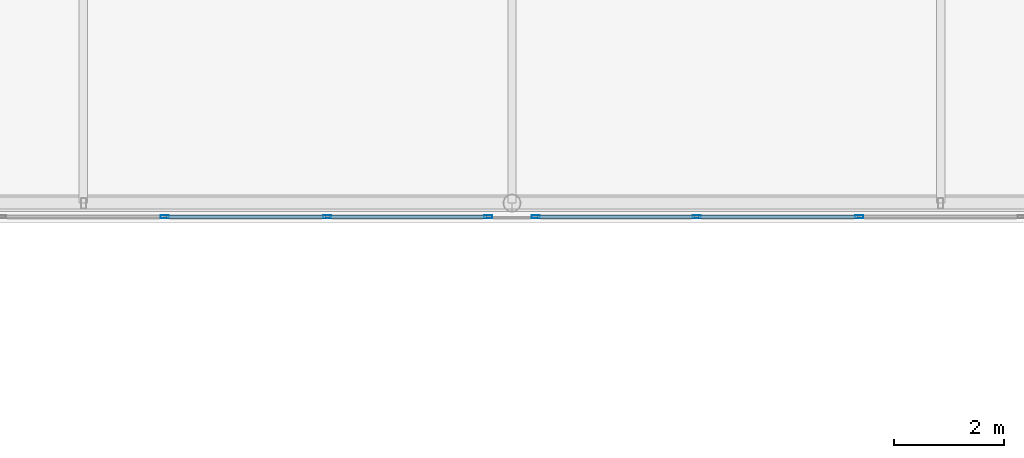
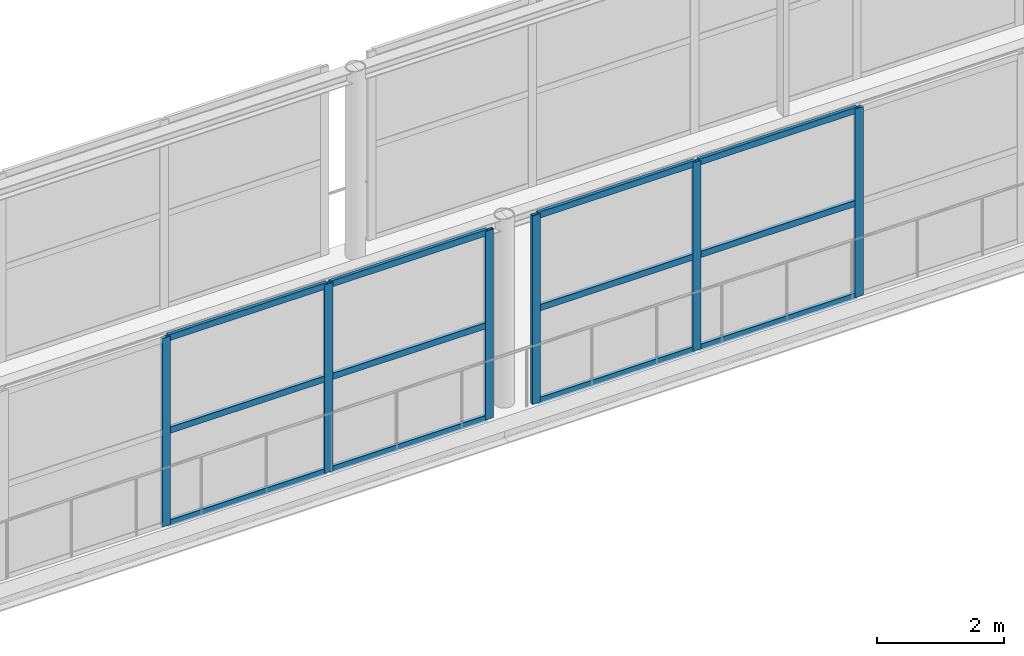
# One storey, part 70 of 167: 18 members, 2 elements without a shape of their own.
"""IFC4 building model written with IfcOpenShell, lengths in metres."""

from ifc_helpers import new_model, si_unit, direction, frame, origin, origin_2d, place, context, subcontext, project, spatial, hollow_rectangle, extrude, material, layer, layer_set, material_profile, profile_set, type_object, element, aggregate, save


model = new_model("IFC4")

# Units and contexts
model_context = context("Model", 3, precision=1e-05, world=origin(), true_north=direction((0.0, 1.0)))
body_context = subcontext(model_context, "Body", "Model", "MODEL_VIEW")
ifc_project = project(units=[si_unit("LENGTHUNIT", "METRE"), si_unit("AREAUNIT", "SQUARE_METRE"), si_unit("VOLUMEUNIT", "CUBIC_METRE"), si_unit("PLANEANGLEUNIT", "RADIAN"), si_unit("MASSUNIT", "GRAM", prefix="KILO")], contexts=[model_context])

# Site, building, storey
site_placement = place(None, origin())
site = spatial("IfcSite", under=ifc_project, at=site_placement, CompositionType="ELEMENT")
building_placement = place(site_placement, origin())
building = spatial("IfcBuilding", under=site, at=building_placement, Name="Zizhar Promenade General Hospital", CompositionType="ELEMENT")
storey_placement = place(building_placement, frame((0.0, 0.0, 9.60009765625)))
storey = spatial("IfcBuildingStorey", under=building, at=storey_placement, Name="L02", CompositionType="ELEMENT", Elevation=9.60009765625)

# Curtain wall, members
ifc_material_1 = material(Name="Anodised aluminium 6063-T6 and low-E glass", Category="aluminium")
ifc_layer = layer(ifc_material_1, 0.159912109375)
ifc_layer_set = layer_set([ifc_layer], Name="Anodised aluminium 6063-T6 and low-E glass")
curtain_wall_type = type_object("IfcCurtainWallType", Name="CW-SKY-GLZ", PredefinedType="NOTDEFINED", material=ifc_layer_set)
curtain_wall_1_placement = place(storey_placement, origin())
curtain_wall_1 = element("IfcCurtainWall", 1, at=curtain_wall_1_placement, inside=storey, type_object=curtain_wall_type, Name="Courtyard Surgical-Clinic Skybridge Level L02 South Glazing 2", PredefinedType="NOTDEFINED")
ifc_material_2 = material(Name="Anodised aluminium 6063-T6", Category="aluminium")
ifc_material_profile_1 = material_profile(ifc_material_2, hollow_rectangle(XDim=0.06005859375, YDim=0.14990234375, WallThickness=0.00390625, at=origin_2d()))
ifc_profile_set_1 = profile_set([ifc_material_profile_1], Name="Anodised aluminium 6063-T6")
member_type_1 = type_object("IfcMemberType", Name="CWM-ALU-150x60", PredefinedType="MULLION", material=ifc_profile_set_1)
member_1_placement = place(storey_placement, frame((100.969970703125, 77.5, 0.0), z_axis=(0.0, 0.0, 1.0), x_axis=(0.0, -1.0, 0.0)))
member_1 = element("IfcMember", 2, at=member_1_placement, type_object=member_type_1, Name="CW-15 mullion 1", PredefinedType="MULLION", context=body_context, shape_type="SweptSolid", body=[
    extrude(hollow_rectangle(XDim=0.06005859375, YDim=0.14990234375, WallThickness=0.00390625, at=origin_2d()), origin(), (0.0, 0.0, 1.0), 3.639892578125),
])
member_2_placement = place(storey_placement, frame((98.0400390625, 77.5, 0.0), z_axis=(0.0, 0.0, 1.0), x_axis=(0.0, -1.0, 0.0)))
member_2 = element("IfcMember", 3, at=member_2_placement, type_object=member_type_1, Name="CW-15 mullion 2", PredefinedType="MULLION", context=body_context, shape_type="SweptSolid", body=[
    extrude(hollow_rectangle(XDim=0.06005859375, YDim=0.14990234375, WallThickness=0.00390625, at=origin_2d()), origin(), (0.0, 0.0, 1.0), 3.639892578125),
])
member_3_placement = place(storey_placement, frame((95.080078125, 77.5, 0.0), z_axis=(0.0, 0.0, 1.0), x_axis=(0.0, -1.0, 0.0)))
member_3 = element("IfcMember", 4, at=member_3_placement, type_object=member_type_1, Name="CW-15 mullion 3", PredefinedType="MULLION", context=body_context, shape_type="SweptSolid", body=[
    extrude(hollow_rectangle(XDim=0.06005859375, YDim=0.14990234375, WallThickness=0.00390625, at=origin_2d()), origin(), (0.0, 0.0, 1.0), 3.639892578125),
])

curtain_wall_2_placement = place(storey_placement, origin())
curtain_wall_2 = element("IfcCurtainWall", 5, at=curtain_wall_2_placement, inside=storey, type_object=curtain_wall_type, Name="Courtyard Surgical-Clinic Skybridge Level L02 South Glazing 3", PredefinedType="NOTDEFINED")
member_4_placement = place(storey_placement, frame((107.719970703125, 77.5, 0.0), z_axis=(0.0, 0.0, 1.0), x_axis=(0.0, -1.0, 0.0)))
member_4 = element("IfcMember", 6, at=member_4_placement, type_object=member_type_1, Name="CW-15 mullion 4", PredefinedType="MULLION", context=body_context, shape_type="SweptSolid", body=[
    extrude(hollow_rectangle(XDim=0.06005859375, YDim=0.14990234375, WallThickness=0.00390625, at=origin_2d()), origin(), (0.0, 0.0, 1.0), 3.639892578125),
])
member_5_placement = place(storey_placement, frame((104.760009765625, 77.5, 0.0), z_axis=(0.0, 0.0, 1.0), x_axis=(0.0, -1.0, 0.0)))
member_5 = element("IfcMember", 7, at=member_5_placement, type_object=member_type_1, Name="CW-15 mullion 5", PredefinedType="MULLION", context=body_context, shape_type="SweptSolid", body=[
    extrude(hollow_rectangle(XDim=0.06005859375, YDim=0.14990234375, WallThickness=0.00390625, at=origin_2d()), origin(), (0.0, 0.0, 1.0), 3.639892578125),
])
member_6_placement = place(storey_placement, frame((101.830078125, 77.5, 0.0), z_axis=(0.0, 0.0, 1.0), x_axis=(0.0, -1.0, 0.0)))
member_6 = element("IfcMember", 8, at=member_6_placement, type_object=member_type_1, Name="CW-15 mullion 6", PredefinedType="MULLION", context=body_context, shape_type="SweptSolid", body=[
    extrude(hollow_rectangle(XDim=0.06005859375, YDim=0.14990234375, WallThickness=0.00390625, at=origin_2d()), origin(), (0.0, 0.0, 1.0), 3.639892578125),
])

# Member
ifc_material_3 = material(Name="Anodised aluminium 6063-T6", Category="aluminium")
ifc_material_profile_2 = material_profile(ifc_material_3, hollow_rectangle(XDim=0.06005859375, YDim=0.1201171875, WallThickness=0.00390625, at=origin_2d()))
ifc_profile_set_2 = profile_set([ifc_material_profile_2], Name="Anodised aluminium 6063-T6")
member_type_2 = type_object("IfcMemberType", Name="CWT-ALU-120x60", PredefinedType="USERDEFINED", material=ifc_profile_set_2)
member_7_placement = place(storey_placement, frame((100.93994140625, 77.5, 0.02978515625), z_axis=(-1.0, 0.0, 0.0), x_axis=(0.0, -1.0, 0.0)))
member_7 = element("IfcMember", 9, at=member_7_placement, type_object=member_type_2, Name="CW-15 transom 1.1", ObjectType="TRANSOM", PredefinedType="USERDEFINED", context=body_context, shape_type="SweptSolid", body=[
    extrude(hollow_rectangle(XDim=0.06005859375, YDim=0.1201171875, WallThickness=0.00390625, at=origin_2d()), origin(), (0.0, 0.0, 1.0), 2.869873046875),
])

member_8_placement = place(storey_placement, frame((100.93994140625, 77.5, 1.81982421875), z_axis=(-1.0, 0.0, 0.0), x_axis=(0.0, -1.0, 0.0)))
member_8 = element("IfcMember", 10, at=member_8_placement, type_object=member_type_2, Name="CW-15 transom 1.2", ObjectType="TRANSOM", PredefinedType="USERDEFINED", context=body_context, shape_type="SweptSolid", body=[
    extrude(hollow_rectangle(XDim=0.06005859375, YDim=0.1201171875, WallThickness=0.00390625, at=origin_2d()), origin(), (0.0, 0.0, 1.0), 2.869873046875),
])

member_9_placement = place(storey_placement, frame((100.93994140625, 77.5, 3.60986328125), z_axis=(-1.0, 0.0, 0.0), x_axis=(0.0, -1.0, 0.0)))
member_9 = element("IfcMember", 11, at=member_9_placement, type_object=member_type_2, Name="CW-15 transom 1.3", ObjectType="TRANSOM", PredefinedType="USERDEFINED", context=body_context, shape_type="SweptSolid", body=[
    extrude(hollow_rectangle(XDim=0.06005859375, YDim=0.1201171875, WallThickness=0.00390625, at=origin_2d()), origin(), (0.0, 0.0, 1.0), 2.869873046875),
])

member_10_placement = place(storey_placement, frame((98.010009765625, 77.5, 0.02978515625), z_axis=(-1.0, 0.0, 0.0), x_axis=(0.0, -1.0, 0.0)))
member_10 = element("IfcMember", 12, at=member_10_placement, type_object=member_type_2, Name="CW-15 transom 2.1", ObjectType="TRANSOM", PredefinedType="USERDEFINED", context=body_context, shape_type="SweptSolid", body=[
    extrude(hollow_rectangle(XDim=0.06005859375, YDim=0.1201171875, WallThickness=0.00390625, at=origin_2d()), origin(), (0.0, 0.0, 1.0), 2.89990234375),
])

member_11_placement = place(storey_placement, frame((98.010009765625, 77.5, 1.81982421875), z_axis=(-1.0, 0.0, 0.0), x_axis=(0.0, -1.0, 0.0)))
member_11 = element("IfcMember", 13, at=member_11_placement, type_object=member_type_2, Name="CW-15 transom 2.2", ObjectType="TRANSOM", PredefinedType="USERDEFINED", context=body_context, shape_type="SweptSolid", body=[
    extrude(hollow_rectangle(XDim=0.06005859375, YDim=0.1201171875, WallThickness=0.00390625, at=origin_2d()), origin(), (0.0, 0.0, 1.0), 2.89990234375),
])

member_12_placement = place(storey_placement, frame((98.010009765625, 77.5, 3.60986328125), z_axis=(-1.0, 0.0, 0.0), x_axis=(0.0, -1.0, 0.0)))
member_12 = element("IfcMember", 14, at=member_12_placement, type_object=member_type_2, Name="CW-15 transom 2.3", ObjectType="TRANSOM", PredefinedType="USERDEFINED", context=body_context, shape_type="SweptSolid", body=[
    extrude(hollow_rectangle(XDim=0.06005859375, YDim=0.1201171875, WallThickness=0.00390625, at=origin_2d()), origin(), (0.0, 0.0, 1.0), 2.89990234375),
])

aggregate(curtain_wall_1, [member_1, member_2, member_3, member_7, member_8, member_9, member_10, member_11, member_12])

member_13_placement = place(storey_placement, frame((107.68994140625, 77.5, 0.02978515625), z_axis=(-1.0, 0.0, 0.0), x_axis=(0.0, -1.0, 0.0)))
member_13 = element("IfcMember", 15, at=member_13_placement, type_object=member_type_2, Name="CW-15 transom 4.1", ObjectType="TRANSOM", PredefinedType="USERDEFINED", context=body_context, shape_type="SweptSolid", body=[
    extrude(hollow_rectangle(XDim=0.06005859375, YDim=0.1201171875, WallThickness=0.00390625, at=origin_2d()), origin(), (0.0, 0.0, 1.0), 2.89990234375),
])

member_14_placement = place(storey_placement, frame((107.68994140625, 77.5, 1.81982421875), z_axis=(-1.0, 0.0, 0.0), x_axis=(0.0, -1.0, 0.0)))
member_14 = element("IfcMember", 16, at=member_14_placement, type_object=member_type_2, Name="CW-15 transom 4.2", ObjectType="TRANSOM", PredefinedType="USERDEFINED", context=body_context, shape_type="SweptSolid", body=[
    extrude(hollow_rectangle(XDim=0.06005859375, YDim=0.1201171875, WallThickness=0.00390625, at=origin_2d()), origin(), (0.0, 0.0, 1.0), 2.89990234375),
])

member_15_placement = place(storey_placement, frame((107.68994140625, 77.5, 3.60986328125), z_axis=(-1.0, 0.0, 0.0), x_axis=(0.0, -1.0, 0.0)))
member_15 = element("IfcMember", 17, at=member_15_placement, type_object=member_type_2, Name="CW-15 transom 4.3", ObjectType="TRANSOM", PredefinedType="USERDEFINED", context=body_context, shape_type="SweptSolid", body=[
    extrude(hollow_rectangle(XDim=0.06005859375, YDim=0.1201171875, WallThickness=0.00390625, at=origin_2d()), origin(), (0.0, 0.0, 1.0), 2.89990234375),
])

member_16_placement = place(storey_placement, frame((104.72998046875, 77.5, 0.02978515625), z_axis=(-1.0, 0.0, 0.0), x_axis=(0.0, -1.0, 0.0)))
member_16 = element("IfcMember", 18, at=member_16_placement, type_object=member_type_2, Name="CW-15 transom 5.1", ObjectType="TRANSOM", PredefinedType="USERDEFINED", context=body_context, shape_type="SweptSolid", body=[
    extrude(hollow_rectangle(XDim=0.06005859375, YDim=0.1201171875, WallThickness=0.00390625, at=origin_2d()), origin(), (0.0, 0.0, 1.0), 2.869873046875),
])

member_17_placement = place(storey_placement, frame((104.72998046875, 77.5, 1.81982421875), z_axis=(-1.0, 0.0, 0.0), x_axis=(0.0, -1.0, 0.0)))
member_17 = element("IfcMember", 19, at=member_17_placement, type_object=member_type_2, Name="CW-15 transom 5.2", ObjectType="TRANSOM", PredefinedType="USERDEFINED", context=body_context, shape_type="SweptSolid", body=[
    extrude(hollow_rectangle(XDim=0.06005859375, YDim=0.1201171875, WallThickness=0.00390625, at=origin_2d()), origin(), (0.0, 0.0, 1.0), 2.869873046875),
])

member_18_placement = place(storey_placement, frame((104.72998046875, 77.5, 3.60986328125), z_axis=(-1.0, 0.0, 0.0), x_axis=(0.0, -1.0, 0.0)))
member_18 = element("IfcMember", 20, at=member_18_placement, type_object=member_type_2, Name="CW-15 transom 5.3", ObjectType="TRANSOM", PredefinedType="USERDEFINED", context=body_context, shape_type="SweptSolid", body=[
    extrude(hollow_rectangle(XDim=0.06005859375, YDim=0.1201171875, WallThickness=0.00390625, at=origin_2d()), origin(), (0.0, 0.0, 1.0), 2.869873046875),
])

aggregate(curtain_wall_2, [member_4, member_5, member_6, member_13, member_14, member_15, member_16, member_17, member_18])

save(model, "model.ifc")
